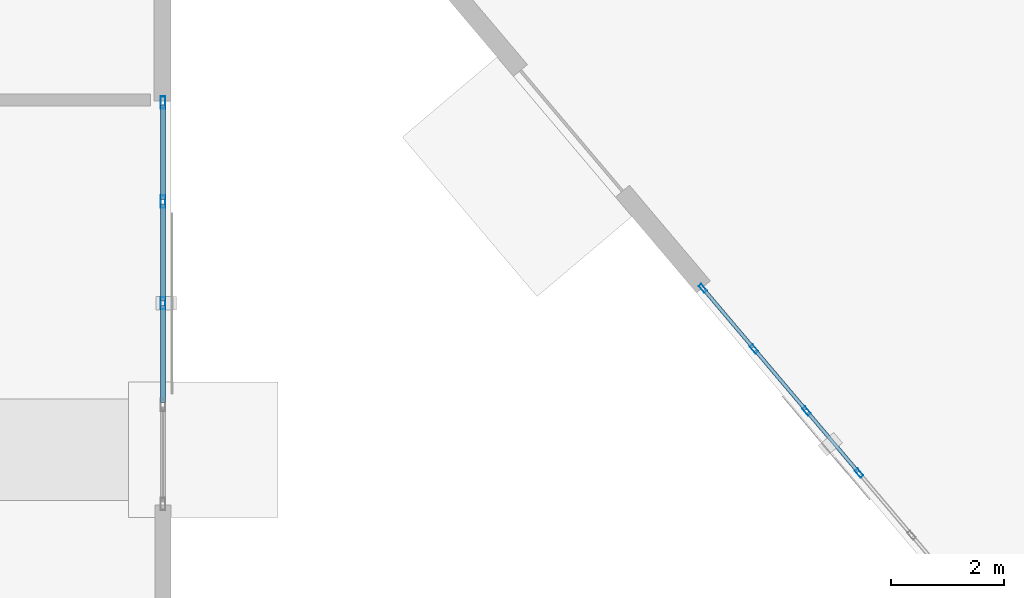
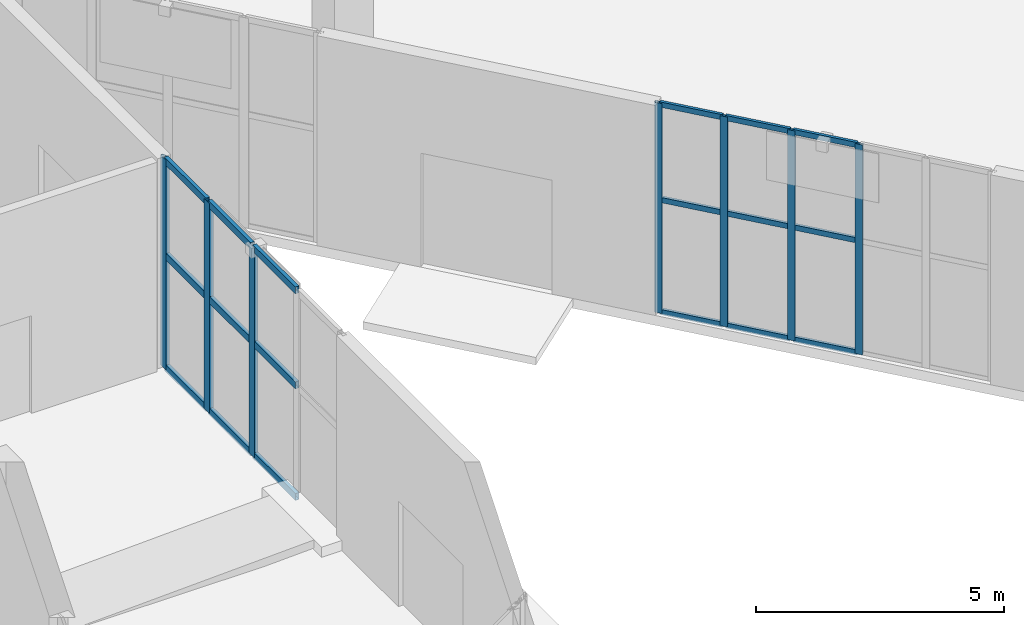
# One storey, part 14 of 139: 25 members, 2 elements without a shape of their own.
"""IFC4 building model written with IfcOpenShell, lengths in metres."""

from ifc_helpers import new_model, si_unit, direction, frame, origin, origin_2d, place, context, subcontext, project, spatial, hollow_rectangle, extrude, material, layer, layer_set, material_profile, profile_set, type_object, element, aggregate, save


model = new_model("IFC4")

# Units and contexts
model_context = context("Model", 3, precision=1e-05, world=origin(), true_north=direction((0.0, 1.0)))
body_context = subcontext(model_context, "Body", "Model", "MODEL_VIEW")
ifc_project = project(units=[si_unit("LENGTHUNIT", "METRE"), si_unit("AREAUNIT", "SQUARE_METRE"), si_unit("VOLUMEUNIT", "CUBIC_METRE"), si_unit("PLANEANGLEUNIT", "RADIAN"), si_unit("MASSUNIT", "GRAM", prefix="KILO")], contexts=[model_context])

# Site, building, storey
site_placement = place(None, origin())
site = spatial("IfcSite", under=ifc_project, at=site_placement, CompositionType="ELEMENT")
building_placement = place(site_placement, origin())
building = spatial("IfcBuilding", under=site, at=building_placement, Name="Xicomal Pleat Aquarium", CompositionType="ELEMENT")
storey_placement = place(building_placement, origin())
storey = spatial("IfcBuildingStorey", under=building, at=storey_placement, Name="L01", CompositionType="ELEMENT", Elevation=0.0)

# Curtain wall, members
ifc_material_1 = material(Name="Bronze anodized aluminium 6063-T6", Category="aluminium")
ifc_layer_1 = layer(ifc_material_1, 0.159912109375)
ifc_layer_set_1 = layer_set([ifc_layer_1], Name="Bronze anodized aluminium 6063-T6")
curtain_wall_type_1 = type_object("IfcCurtainWallType", Name="CW-SYS-01", PredefinedType="NOTDEFINED", material=ifc_layer_set_1)
curtain_wall_1_placement = place(storey_placement, origin())
curtain_wall_1 = element("IfcCurtainWall", 1, at=curtain_wall_1_placement, inside=storey, type_object=curtain_wall_type_1, Name="L01 unitised curtain wall CW-L01-003", PredefinedType="NOTDEFINED")
ifc_material_2 = material(Name="Bronze anodized aluminium 6063-T6", Category="aluminium")
ifc_material_profile_1 = material_profile(ifc_material_2, hollow_rectangle(XDim=0.06494140625, YDim=0.159912109375, WallThickness=0.00390625, at=origin_2d()), Name="ALU MULL 65x160")
ifc_profile_set_1 = profile_set([ifc_material_profile_1], Name="Bronze anodized aluminium 6063-T6")
member_type_1 = type_object("IfcMemberType", Name="CWM-65x160", PredefinedType="MULLION", material=ifc_profile_set_1)
member_1_placement = place(storey_placement, frame((64.39697265625, 8.590087890625, 0.0), z_axis=(0.0, 0.0, 1.0), x_axis=(-0.763649549367, -0.645630982645, 0.0)))
member_1 = element("IfcMember", 2, at=member_1_placement, type_object=member_type_1, Name="CW-01 mullion 3", PredefinedType="MULLION", context=body_context, shape_type="SweptSolid", body=[
    extrude(hollow_rectangle(XDim=0.06494140625, YDim=0.159912109375, WallThickness=0.00390625, at=origin_2d()), origin(), (0.0, 0.0, 1.0), 5.159912109375),
])
member_2_placement = place(storey_placement, frame((63.467041015625, 9.68994140625, 0.0), z_axis=(0.0, 0.0, 1.0), x_axis=(-0.763649549367, -0.645630982645, 0.0)))
member_2 = element("IfcMember", 3, at=member_2_placement, type_object=member_type_1, Name="CW-01 mullion 4", PredefinedType="MULLION", context=body_context, shape_type="SweptSolid", body=[
    extrude(hollow_rectangle(XDim=0.06494140625, YDim=0.159912109375, WallThickness=0.00390625, at=origin_2d()), origin(), (0.0, 0.0, 1.0), 5.159912109375),
])
member_3_placement = place(storey_placement, frame((62.537109375, 10.7900390625, 0.0), z_axis=(0.0, 0.0, 1.0), x_axis=(-0.763649549367, -0.645630982645, 0.0)))
member_3 = element("IfcMember", 4, at=member_3_placement, type_object=member_type_1, Name="CW-01 mullion 5", PredefinedType="MULLION", context=body_context, shape_type="SweptSolid", body=[
    extrude(hollow_rectangle(XDim=0.06494140625, YDim=0.159912109375, WallThickness=0.00390625, at=origin_2d()), origin(), (0.0, 0.0, 1.0), 5.159912109375),
])
member_4_placement = place(storey_placement, frame((61.6279296875, 11.865234375, 0.0), z_axis=(0.0, 0.0, 1.0), x_axis=(-0.763649549367, -0.645630982645, 0.0)))
member_4 = element("IfcMember", 5, at=member_4_placement, type_object=member_type_1, Name="CW-01 mullion 6", PredefinedType="MULLION", context=body_context, shape_type="SweptSolid", body=[
    extrude(hollow_rectangle(XDim=0.06494140625, YDim=0.159912109375, WallThickness=0.00390625, at=origin_2d()), origin(), (0.0, 0.0, 1.0), 5.159912109375),
])

ifc_material_3 = material(Name="Bronze anodized aluminium 6063-T6", Category="aluminium")
ifc_layer_2 = layer(ifc_material_3, 0.159912109375)
ifc_layer_set_2 = layer_set([ifc_layer_2], Name="Bronze anodized aluminium 6063-T6")
curtain_wall_type_2 = type_object("IfcCurtainWallType", Name="CW-SYS-11", PredefinedType="NOTDEFINED", material=ifc_layer_set_2)
curtain_wall_2_placement = place(storey_placement, origin())
curtain_wall_2 = element("IfcCurtainWall", 6, at=curtain_wall_2_placement, inside=storey, type_object=curtain_wall_type_2, Name="L01 unitised curtain wall CW-L01-005", PredefinedType="NOTDEFINED")
ifc_material_4 = material(Name="Bronze anodized aluminium 6063-T6", Category="aluminium")
ifc_material_profile_2 = material_profile(ifc_material_4, hollow_rectangle(XDim=0.0849609375, YDim=0.219970703125, WallThickness=0.0048828125, at=origin_2d()), Name="ALU MULL 85x220")
ifc_profile_set_2 = profile_set([ifc_material_profile_2], Name="Bronze anodized aluminium 6063-T6")
member_type_2 = type_object("IfcMemberType", Name="CWM-85x220", PredefinedType="MULLION", material=ifc_profile_set_2)
member_5_placement = place(storey_placement, frame((52.06005859375, 15.157470703125, 0.0), z_axis=(0.0, 0.0, 1.0), x_axis=(1.0, 0.0, 0.0)))
member_5 = element("IfcMember", 7, at=member_5_placement, type_object=member_type_2, Name="CW-11 mullion 1", PredefinedType="MULLION", context=body_context, shape_type="SweptSolid", body=[
    extrude(hollow_rectangle(XDim=0.0849609375, YDim=0.219970703125, WallThickness=0.0048828125, at=origin_2d()), origin(), (0.0, 0.0, 1.0), 5.159912109375),
])
member_6_placement = place(storey_placement, frame((52.06005859375, 13.39990234375, 0.0), z_axis=(0.0, 0.0, 1.0), x_axis=(1.0, 0.0, 0.0)))
member_6 = element("IfcMember", 8, at=member_6_placement, type_object=member_type_2, Name="CW-11 mullion 2", PredefinedType="MULLION", context=body_context, shape_type="SweptSolid", body=[
    extrude(hollow_rectangle(XDim=0.0849609375, YDim=0.219970703125, WallThickness=0.0048828125, at=origin_2d()), origin(), (0.0, 0.0, 1.0), 5.159912109375),
])
member_7_placement = place(storey_placement, frame((52.06005859375, 11.60009765625, 0.0), z_axis=(0.0, 0.0, 1.0), x_axis=(1.0, 0.0, 0.0)))
member_7 = element("IfcMember", 9, at=member_7_placement, type_object=member_type_2, Name="CW-11 mullion 3", PredefinedType="MULLION", context=body_context, shape_type="SweptSolid", body=[
    extrude(hollow_rectangle(XDim=0.0849609375, YDim=0.219970703125, WallThickness=0.0048828125, at=origin_2d()), origin(), (0.0, 0.0, 1.0), 5.159912109375),
])

# Member
ifc_material_5 = material(Name="Bronze anodized aluminium 6063-T6", Category="aluminium")
ifc_material_profile_3 = material_profile(ifc_material_5, hollow_rectangle(XDim=0.06494140625, YDim=0.1298828125, WallThickness=0.00390625, at=origin_2d()), Name="ALU TRAN 65x130")
ifc_profile_set_3 = profile_set([ifc_material_profile_3], Name="Bronze anodized aluminium 6063-T6")
member_type_3 = type_object("IfcMemberType", Name="CWT-65x130", PredefinedType="USERDEFINED", material=ifc_profile_set_3)
member_8_placement = place(storey_placement, frame((64.3759765625, 8.61474609375, 0.032470703125), z_axis=(-0.64552841303, 0.763736255504, 0.0), x_axis=(-0.763736255504, -0.64552841303, 0.0)))
member_8 = element("IfcMember", 10, at=member_8_placement, type_object=member_type_3, Name="CW-01 transom 3.1", ObjectType="TRANSOM", PredefinedType="USERDEFINED", context=body_context, shape_type="SweptSolid", body=[
    extrude(hollow_rectangle(XDim=0.06494140625, YDim=0.1298828125, WallThickness=0.00390625, at=origin_2d()), origin(), (0.0, 0.0, 1.0), 1.37548828125),
])

member_9_placement = place(storey_placement, frame((64.3759765625, 8.61474609375, 2.785888671875), z_axis=(-0.64552841303, 0.763736255504, 0.0), x_axis=(-0.763736255504, -0.64552841303, 0.0)))
member_9 = element("IfcMember", 11, at=member_9_placement, type_object=member_type_3, Name="CW-01 transom 3.2", ObjectType="TRANSOM", PredefinedType="USERDEFINED", context=body_context, shape_type="SweptSolid", body=[
    extrude(hollow_rectangle(XDim=0.06494140625, YDim=0.1298828125, WallThickness=0.00390625, at=origin_2d()), origin(), (0.0, 0.0, 1.0), 1.37548828125),
])

member_10_placement = place(storey_placement, frame((64.3759765625, 8.61474609375, 5.12744140625), z_axis=(-0.64552841303, 0.763736255504, 0.0), x_axis=(-0.763736255504, -0.64552841303, 0.0)))
member_10 = element("IfcMember", 12, at=member_10_placement, type_object=member_type_3, Name="CW-01 transom 3.3", ObjectType="TRANSOM", PredefinedType="USERDEFINED", context=body_context, shape_type="SweptSolid", body=[
    extrude(hollow_rectangle(XDim=0.06494140625, YDim=0.1298828125, WallThickness=0.00390625, at=origin_2d()), origin(), (0.0, 0.0, 1.0), 1.37548828125),
])

member_11_placement = place(storey_placement, frame((63.446044921875, 9.71484375, 0.032470703125), z_axis=(-0.645615925244, 0.763662279461, 0.0), x_axis=(-0.763662279461, -0.645615925244, 0.0)))
member_11 = element("IfcMember", 13, at=member_11_placement, type_object=member_type_3, Name="CW-01 transom 4.1", ObjectType="TRANSOM", PredefinedType="USERDEFINED", context=body_context, shape_type="SweptSolid", body=[
    extrude(hollow_rectangle(XDim=0.06494140625, YDim=0.1298828125, WallThickness=0.00390625, at=origin_2d()), origin(), (0.0, 0.0, 1.0), 1.375244140625),
])

member_12_placement = place(storey_placement, frame((63.446044921875, 9.71484375, 2.785888671875), z_axis=(-0.645615925244, 0.763662279461, 0.0), x_axis=(-0.763662279461, -0.645615925244, 0.0)))
member_12 = element("IfcMember", 14, at=member_12_placement, type_object=member_type_3, Name="CW-01 transom 4.2", ObjectType="TRANSOM", PredefinedType="USERDEFINED", context=body_context, shape_type="SweptSolid", body=[
    extrude(hollow_rectangle(XDim=0.06494140625, YDim=0.1298828125, WallThickness=0.00390625, at=origin_2d()), origin(), (0.0, 0.0, 1.0), 1.375244140625),
])

member_13_placement = place(storey_placement, frame((63.446044921875, 9.71484375, 5.12744140625), z_axis=(-0.645615925244, 0.763662279461, 0.0), x_axis=(-0.763662279461, -0.645615925244, 0.0)))
member_13 = element("IfcMember", 15, at=member_13_placement, type_object=member_type_3, Name="CW-01 transom 4.3", ObjectType="TRANSOM", PredefinedType="USERDEFINED", context=body_context, shape_type="SweptSolid", body=[
    extrude(hollow_rectangle(XDim=0.06494140625, YDim=0.1298828125, WallThickness=0.00390625, at=origin_2d()), origin(), (0.0, 0.0, 1.0), 1.375244140625),
])

member_14_placement = place(storey_placement, frame((62.51611328125, 10.814697265625, 0.032470703125), z_axis=(-0.645657001127, 0.763627551164, 0.0), x_axis=(-0.763627551164, -0.645657001127, 0.0)))
member_14 = element("IfcMember", 16, at=member_14_placement, type_object=member_type_3, Name="CW-01 transom 5.1", ObjectType="TRANSOM", PredefinedType="USERDEFINED", context=body_context, shape_type="SweptSolid", body=[
    extrude(hollow_rectangle(XDim=0.06494140625, YDim=0.1298828125, WallThickness=0.00390625, at=origin_2d()), origin(), (0.0, 0.0, 1.0), 1.343017578125),
])

member_15_placement = place(storey_placement, frame((62.51611328125, 10.814697265625, 2.785888671875), z_axis=(-0.645657001127, 0.763627551164, 0.0), x_axis=(-0.763627551164, -0.645657001127, 0.0)))
member_15 = element("IfcMember", 17, at=member_15_placement, type_object=member_type_3, Name="CW-01 transom 5.2", ObjectType="TRANSOM", PredefinedType="USERDEFINED", context=body_context, shape_type="SweptSolid", body=[
    extrude(hollow_rectangle(XDim=0.06494140625, YDim=0.1298828125, WallThickness=0.00390625, at=origin_2d()), origin(), (0.0, 0.0, 1.0), 1.343017578125),
])

member_16_placement = place(storey_placement, frame((62.51611328125, 10.814697265625, 5.12744140625), z_axis=(-0.645657001127, 0.763627551164, 0.0), x_axis=(-0.763627551164, -0.645657001127, 0.0)))
member_16 = element("IfcMember", 18, at=member_16_placement, type_object=member_type_3, Name="CW-01 transom 5.3", ObjectType="TRANSOM", PredefinedType="USERDEFINED", context=body_context, shape_type="SweptSolid", body=[
    extrude(hollow_rectangle(XDim=0.06494140625, YDim=0.1298828125, WallThickness=0.00390625, at=origin_2d()), origin(), (0.0, 0.0, 1.0), 1.343017578125),
])

aggregate(curtain_wall_1, [member_1, member_2, member_3, member_4, member_8, member_9, member_10, member_11, member_12, member_13, member_14, member_15, member_16])

ifc_material_6 = material(Name="Bronze anodized aluminium 6063-T6", Category="aluminium")
ifc_material_profile_4 = material_profile(ifc_material_6, hollow_rectangle(XDim=0.0849609375, YDim=0.169921875, WallThickness=0.0048828125, at=origin_2d()), Name="ALU TRAN 85x170")
ifc_profile_set_4 = profile_set([ifc_material_profile_4], Name="Bronze anodized aluminium 6063-T6")
member_type_4 = type_object("IfcMemberType", Name="CWT-85x170", PredefinedType="USERDEFINED", material=ifc_profile_set_4)
member_17_placement = place(storey_placement, frame((52.06005859375, 15.114990234375, 0.04248046875), z_axis=(0.0, -1.0, 0.0), x_axis=(1.0, 0.0, 0.0)))
member_17 = element("IfcMember", 19, at=member_17_placement, type_object=member_type_4, Name="CW-11 transom 1.1", ObjectType="TRANSOM", PredefinedType="USERDEFINED", context=body_context, shape_type="SweptSolid", body=[
    extrude(hollow_rectangle(XDim=0.0849609375, YDim=0.169921875, WallThickness=0.0048828125, at=origin_2d()), origin(), (0.0, 0.0, 1.0), 1.672607421875),
])

member_18_placement = place(storey_placement, frame((52.06005859375, 15.114990234375, 2.785888671875), z_axis=(0.0, -1.0, 0.0), x_axis=(1.0, 0.0, 0.0)))
member_18 = element("IfcMember", 20, at=member_18_placement, type_object=member_type_4, Name="CW-11 transom 1.2", ObjectType="TRANSOM", PredefinedType="USERDEFINED", context=body_context, shape_type="SweptSolid", body=[
    extrude(hollow_rectangle(XDim=0.0849609375, YDim=0.169921875, WallThickness=0.0048828125, at=origin_2d()), origin(), (0.0, 0.0, 1.0), 1.672607421875),
])

member_19_placement = place(storey_placement, frame((52.06005859375, 15.114990234375, 5.117431640625), z_axis=(0.0, -1.0, 0.0), x_axis=(1.0, 0.0, 0.0)))
member_19 = element("IfcMember", 21, at=member_19_placement, type_object=member_type_4, Name="CW-11 transom 1.3", ObjectType="TRANSOM", PredefinedType="USERDEFINED", context=body_context, shape_type="SweptSolid", body=[
    extrude(hollow_rectangle(XDim=0.0849609375, YDim=0.169921875, WallThickness=0.0048828125, at=origin_2d()), origin(), (0.0, 0.0, 1.0), 1.672607421875),
])

member_20_placement = place(storey_placement, frame((52.06005859375, 13.357421875, 0.04248046875), z_axis=(0.0, -1.0, 0.0), x_axis=(1.0, 0.0, 0.0)))
member_20 = element("IfcMember", 22, at=member_20_placement, type_object=member_type_4, Name="CW-11 transom 2.1", ObjectType="TRANSOM", PredefinedType="USERDEFINED", context=body_context, shape_type="SweptSolid", body=[
    extrude(hollow_rectangle(XDim=0.0849609375, YDim=0.169921875, WallThickness=0.0048828125, at=origin_2d()), origin(), (0.0, 0.0, 1.0), 1.71484375),
])

member_21_placement = place(storey_placement, frame((52.06005859375, 13.357421875, 2.785888671875), z_axis=(0.0, -1.0, 0.0), x_axis=(1.0, 0.0, 0.0)))
member_21 = element("IfcMember", 23, at=member_21_placement, type_object=member_type_4, Name="CW-11 transom 2.2", ObjectType="TRANSOM", PredefinedType="USERDEFINED", context=body_context, shape_type="SweptSolid", body=[
    extrude(hollow_rectangle(XDim=0.0849609375, YDim=0.169921875, WallThickness=0.0048828125, at=origin_2d()), origin(), (0.0, 0.0, 1.0), 1.71484375),
])

member_22_placement = place(storey_placement, frame((52.06005859375, 13.357421875, 5.117431640625), z_axis=(0.0, -1.0, 0.0), x_axis=(1.0, 0.0, 0.0)))
member_22 = element("IfcMember", 24, at=member_22_placement, type_object=member_type_4, Name="CW-11 transom 2.3", ObjectType="TRANSOM", PredefinedType="USERDEFINED", context=body_context, shape_type="SweptSolid", body=[
    extrude(hollow_rectangle(XDim=0.0849609375, YDim=0.169921875, WallThickness=0.0048828125, at=origin_2d()), origin(), (0.0, 0.0, 1.0), 1.71484375),
])

member_23_placement = place(storey_placement, frame((52.06005859375, 11.5576171875, 0.04248046875), z_axis=(0.0, -1.0, 0.0), x_axis=(1.0, 0.0, 0.0)))
member_23 = element("IfcMember", 25, at=member_23_placement, type_object=member_type_4, Name="CW-11 transom 3.1", ObjectType="TRANSOM", PredefinedType="USERDEFINED", context=body_context, shape_type="SweptSolid", body=[
    extrude(hollow_rectangle(XDim=0.0849609375, YDim=0.169921875, WallThickness=0.0048828125, at=origin_2d()), origin(), (0.0, 0.0, 1.0), 1.715087890625),
])

member_24_placement = place(storey_placement, frame((52.06005859375, 11.5576171875, 2.785888671875), z_axis=(0.0, -1.0, 0.0), x_axis=(1.0, 0.0, 0.0)))
member_24 = element("IfcMember", 26, at=member_24_placement, type_object=member_type_4, Name="CW-11 transom 3.2", ObjectType="TRANSOM", PredefinedType="USERDEFINED", context=body_context, shape_type="SweptSolid", body=[
    extrude(hollow_rectangle(XDim=0.0849609375, YDim=0.169921875, WallThickness=0.0048828125, at=origin_2d()), origin(), (0.0, 0.0, 1.0), 1.715087890625),
])

member_25_placement = place(storey_placement, frame((52.06005859375, 11.5576171875, 5.117431640625), z_axis=(0.0, -1.0, 0.0), x_axis=(1.0, 0.0, 0.0)))
member_25 = element("IfcMember", 27, at=member_25_placement, type_object=member_type_4, Name="CW-11 transom 3.3", ObjectType="TRANSOM", PredefinedType="USERDEFINED", context=body_context, shape_type="SweptSolid", body=[
    extrude(hollow_rectangle(XDim=0.0849609375, YDim=0.169921875, WallThickness=0.0048828125, at=origin_2d()), origin(), (0.0, 0.0, 1.0), 1.715087890625),
])

aggregate(curtain_wall_2, [member_5, member_6, member_7, member_17, member_18, member_19, member_20, member_21, member_22, member_23, member_24, member_25])

save(model, "model.ifc")
